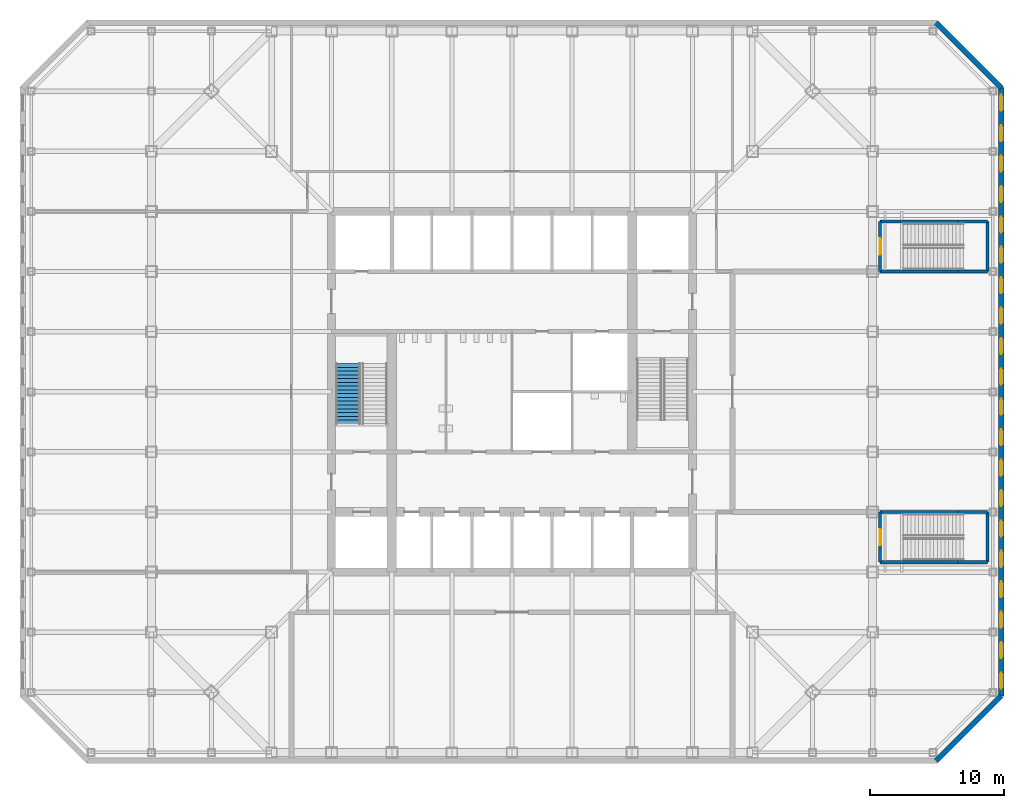
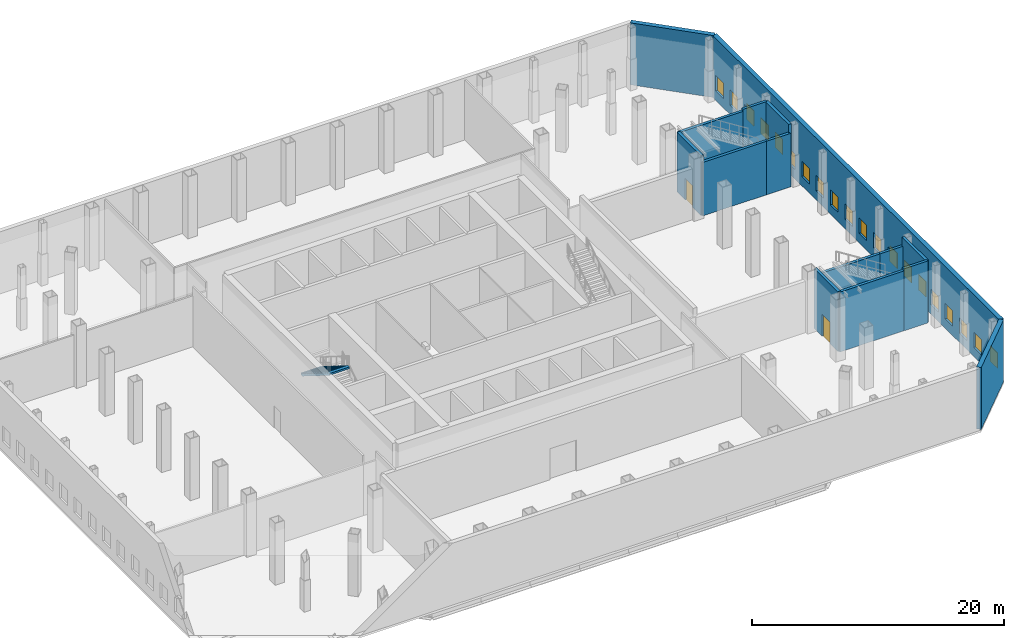
# One storey, part 9 of 13: 20 windows, 15 walls, 2 doors, 1 stair flight, 22 openings, 1 element without a shape of its own.
"""IFC4 building model written with IfcOpenShell, lengths in metres."""

from ifc_helpers import new_model, si_unit, direction, frame, frame_2d, origin, place, context, subcontext, project, spatial, polyline, rectangle, outline, extrude, material, layer, layer_set, type_object, element, fill, aggregate, save


model = new_model("IFC4")

# Units and contexts
model_context = context("Model", 3, precision=1e-05, world=origin(), true_north=direction((0.0, 1.0)))
body_context = subcontext(model_context, "Body", "Model", "MODEL_VIEW")
ifc_project = project(units=[si_unit("LENGTHUNIT", "METRE"), si_unit("AREAUNIT", "SQUARE_METRE"), si_unit("VOLUMEUNIT", "CUBIC_METRE"), si_unit("PLANEANGLEUNIT", "RADIAN"), si_unit("MASSUNIT", "GRAM", prefix="KILO")], contexts=[model_context])

# Site, building, storey
site_placement = place(None, origin())
site = spatial("IfcSite", under=ifc_project, at=site_placement, CompositionType="ELEMENT")
building_placement = place(site_placement, origin())
building = spatial("IfcBuilding", under=site, at=building_placement, Name="Corais Broadcast Tower", CompositionType="ELEMENT")
storey_placement = place(building_placement, frame((0.0, 0.0, 12.0)))
storey = spatial("IfcBuildingStorey", under=building, at=storey_placement, Name="L02", CompositionType="ELEMENT", Elevation=12.0)

# Walls
ifc_material_1 = material(Name="Concrete blockwork class A", Category="masonry")
ifc_layer_1 = layer(ifc_material_1, 0.25)
ifc_layer_set_1 = layer_set([ifc_layer_1], Name="Concrete blockwork class A")
wall_type_1 = type_object("IfcWallType", Name="Stair enclosure blockwork 250", PredefinedType="PARTITIONING", material=ifc_layer_set_1)
wall_1_placement = place(storey_placement, frame((54.550048828125, 14.25, 0.0), z_axis=(0.0, 0.0, 1.0), x_axis=(1.0, 0.0, 0.0)))
element("IfcWall", 1, at=wall_1_placement, inside=storey, type_object=wall_type_1, Name="IW6 stair D enclosure L02", PredefinedType="PARTITIONING", context=body_context, shape_type="SweptSolid", body=[
    extrude(rectangle(XDim=5.849853515625, YDim=0.25, at=frame_2d((2.9248046875, 0.0))), origin(), (0.0, 0.0, 1.0), 5.800048828125),
])
wall_2_placement = place(storey_placement, frame((60.39990234375, 18.0, 0.0), z_axis=(0.0, 0.0, 1.0), x_axis=(-1.0, 0.0, 0.0)))
element("IfcWall", 2, at=wall_2_placement, inside=storey, type_object=wall_type_1, Name="IW6 stair D enclosure L02", PredefinedType="PARTITIONING", context=body_context, shape_type="SweptSolid", body=[
    extrude(rectangle(XDim=5.849853515625, YDim=0.25, at=frame_2d((2.9248046875, 0.0))), origin(), (0.0, 0.0, 1.0), 5.18896484375),
])

# Wall, opening, door
wall_3_placement = place(storey_placement, frame((54.550048828125, 18.0, 0.0), z_axis=(0.0, 0.0, 1.0), x_axis=(0.0, -1.0, 0.0)))
wall_3 = element("IfcWall", 3, at=wall_3_placement, inside=storey, type_object=wall_type_1, Name="IW6 stair D enclosure L02", PredefinedType="PARTITIONING", context=body_context, shape_type="SweptSolid", body=[
    extrude(rectangle(XDim=3.75, YDim=0.25, at=frame_2d((1.875, 0.0))), origin(), (0.0, 0.0, 1.0), 5.800048828125),
])
opening_1_placement = place(wall_3_placement, frame((1.27490234375, 0.0, 0.0)))
opening_1 = element("IfcOpeningElement", 4, at=opening_1_placement, cuts=wall_3, Name="Opening FD1", PredefinedType="OPENING", context=body_context, shape_type="SweptSolid", body=[
    extrude(rectangle(XDim=1.199951171875, YDim=2.10009765625, at=frame_2d((0.60009765625, 1.050048828125))), frame((0.0, 0.135009765625, 0.0), z_axis=(0.0, -1.0, 0.0), x_axis=(1.0, 0.0, 0.0)), (0.0, 0.0, 1.0), 0.27001953125),
])
ifc_material_2 = material(Name="Steel fire door", Category="steel")
door_type = type_object("IfcDoorType", Name="Fire door 1200x2100", OperationType="SINGLE_SWING_LEFT", PredefinedType="DOOR", material=ifc_material_2)
door_1_placement = place(opening_1_placement, origin())
door_1 = element("IfcDoor", 5, at=door_1_placement, inside=storey, type_object=door_type, Name="FD1 stair D door L02", OperationType="SINGLE_SWING_LEFT", OverallHeight=2.10009765625, OverallWidth=1.199951171875, PredefinedType="DOOR", context=body_context, shape_type="SweptSolid", body=[
    extrude(rectangle(XDim=1.199951171875, YDim=2.10009765625, at=frame_2d((0.60009765625, 1.050048828125))), frame((0.0, 0.02490234375, 0.0), z_axis=(0.0, -1.0, 0.0), x_axis=(1.0, 0.0, 0.0)), (0.0, 0.0, 1.0), 0.050048828125),
])
fill(opening_1, door_1)

# Walls
wall_4_placement = place(storey_placement, frame((54.550048828125, 36.0, 0.0), z_axis=(0.0, 0.0, 1.0), x_axis=(1.0, 0.0, 0.0)))
element("IfcWall", 6, at=wall_4_placement, inside=storey, type_object=wall_type_1, Name="IW6 stair E enclosure L02", PredefinedType="PARTITIONING", context=body_context, shape_type="SweptSolid", body=[
    extrude(rectangle(XDim=5.849853515625, YDim=0.25, at=frame_2d((2.9248046875, 0.0))), origin(), (0.0, 0.0, 1.0), 5.18896484375),
])
wall_5_placement = place(storey_placement, frame((60.39990234375, 39.75, 0.0), z_axis=(0.0, 0.0, 1.0), x_axis=(-1.0, 0.0, 0.0)))
element("IfcWall", 7, at=wall_5_placement, inside=storey, type_object=wall_type_1, Name="IW6 stair E enclosure L02", PredefinedType="PARTITIONING", context=body_context, shape_type="SweptSolid", body=[
    extrude(rectangle(XDim=5.849853515625, YDim=0.25, at=frame_2d((2.9248046875, 0.0))), origin(), (0.0, 0.0, 1.0), 5.800048828125),
])

# Wall, opening, door
wall_6_placement = place(storey_placement, frame((54.550048828125, 39.75, 0.0), z_axis=(0.0, 0.0, 1.0), x_axis=(0.0, -1.0, 0.0)))
wall_6 = element("IfcWall", 8, at=wall_6_placement, inside=storey, type_object=wall_type_1, Name="IW6 stair E enclosure L02", PredefinedType="PARTITIONING", context=body_context, shape_type="SweptSolid", body=[
    extrude(rectangle(XDim=3.75, YDim=0.25, at=frame_2d((1.875, 0.0))), origin(), (0.0, 0.0, 1.0), 5.800048828125),
])
opening_2_placement = place(wall_6_placement, frame((1.27490234375, 0.0, 0.0)))
opening_2 = element("IfcOpeningElement", 9, at=opening_2_placement, cuts=wall_6, Name="Opening FD1", PredefinedType="OPENING", context=body_context, shape_type="SweptSolid", body=[
    extrude(rectangle(XDim=1.199951171875, YDim=2.10009765625, at=frame_2d((0.60009765625, 1.050048828125))), frame((0.0, 0.135009765625, 0.0), z_axis=(0.0, -1.0, 0.0), x_axis=(1.0, 0.0, 0.0)), (0.0, 0.0, 1.0), 0.27001953125),
])
door_2_placement = place(opening_2_placement, origin())
door_2 = element("IfcDoor", 10, at=door_2_placement, inside=storey, type_object=door_type, Name="FD1 stair E door L02", OperationType="SINGLE_SWING_LEFT", OverallHeight=2.10009765625, OverallWidth=1.199951171875, PredefinedType="DOOR", context=body_context, shape_type="SweptSolid", body=[
    extrude(rectangle(XDim=1.199951171875, YDim=2.10009765625, at=frame_2d((0.60009765625, 1.050048828125))), frame((0.0, 0.02490234375, 0.0), z_axis=(0.0, -1.0, 0.0), x_axis=(1.0, 0.0, 0.0)), (0.0, 0.0, 1.0), 0.050048828125),
])
fill(opening_2, door_2)

# Walls
ifc_material_3 = material(Name="Concrete C40/50", Category="concrete")
ifc_layer_2 = layer(ifc_material_3, 0.25)
ifc_layer_set_2 = layer_set([ifc_layer_2], Name="Concrete C40/50")
wall_type_2 = type_object("IfcWallType", Name="Stair enclosure wall 250", PredefinedType="SOLIDWALL", material=ifc_layer_set_2)
wall_7_placement = place(storey_placement, frame((60.39990234375, 14.25, 0.0), z_axis=(0.0, 0.0, 1.0), x_axis=(1.0, 0.0, 0.0)))
element("IfcWall", 11, at=wall_7_placement, inside=storey, type_object=wall_type_2, Name="IW5 stair D enclosure L02", PredefinedType="SOLIDWALL", context=body_context, shape_type="SweptSolid", body=[
    extrude(rectangle(XDim=2.2001953125, YDim=0.25, at=frame_2d((1.10009765625, 0.0))), origin(), (0.0, 0.0, 1.0), 6.0),
])
wall_8_placement = place(storey_placement, frame((62.60009765625, 14.25, 0.0), z_axis=(0.0, 0.0, 1.0), x_axis=(0.0, 1.0, 0.0)))
element("IfcWall", 12, at=wall_8_placement, inside=storey, type_object=wall_type_2, Name="IW5 stair D enclosure L02", PredefinedType="SOLIDWALL", context=body_context, shape_type="SweptSolid", body=[
    extrude(rectangle(XDim=3.75, YDim=0.25, at=frame_2d((1.875, 0.0))), origin(), (0.0, 0.0, 1.0), 6.0),
])
for number, where, z_axis, x_axis, name in (
    (13, (62.60009765625, 18.0, 0.0), (0.0, 0.0, 1.0), (-1.0, 0.0, 0.0), "IW5 stair D enclosure L02"),
    (14, (60.39990234375, 36.0, 0.0), (0.0, 0.0, 1.0), (1.0, 0.0, 0.0), "IW5 stair E enclosure L02"),
):
    element("IfcWall", number, at=place(storey_placement, frame(where, z_axis=z_axis, x_axis=x_axis)), inside=storey, type_object=wall_type_2, Name=name, PredefinedType="SOLIDWALL", context=body_context, shape_type="SweptSolid", body=[
        extrude(rectangle(XDim=2.2001953125, YDim=0.25, at=frame_2d((1.10009765625, 0.0))), origin(), (0.0, 0.0, 1.0), 5.18896484375),
    ])
wall_9_placement = place(storey_placement, frame((62.60009765625, 36.0, 0.0), z_axis=(0.0, 0.0, 1.0), x_axis=(0.0, 1.0, 0.0)))
element("IfcWall", 15, at=wall_9_placement, inside=storey, type_object=wall_type_2, Name="IW5 stair E enclosure L02", PredefinedType="SOLIDWALL", context=body_context, shape_type="SweptSolid", body=[
    extrude(rectangle(XDim=3.75, YDim=0.25, at=frame_2d((1.875, 0.0))), origin(), (0.0, 0.0, 1.0), 6.0),
])
wall_10_placement = place(storey_placement, frame((62.60009765625, 39.75, 0.0), z_axis=(0.0, 0.0, 1.0), x_axis=(-1.0, 0.0, 0.0)))
element("IfcWall", 16, at=wall_10_placement, inside=storey, type_object=wall_type_2, Name="IW5 stair E enclosure L02", PredefinedType="SOLIDWALL", context=body_context, shape_type="SweptSolid", body=[
    extrude(rectangle(XDim=2.2001953125, YDim=0.25, at=frame_2d((1.10009765625, 0.0))), origin(), (0.0, 0.0, 1.0), 6.0),
])
ifc_material_4 = material(Name="Precast concrete C40/50", Category="concrete")
ifc_layer_3 = layer(ifc_material_4, 0.39990234375)
ifc_layer_set_3 = layer_set([ifc_layer_3], Name="Precast concrete C40/50")
wall_type_3 = type_object("IfcWallType", Name="Stone-faced acoustic wall 400", PredefinedType="SOLIDWALL", material=ifc_layer_set_3)
wall_11_placement = place(storey_placement, frame((58.760986328125, 54.6298828125, 0.0), z_axis=(0.0, 0.0, 1.0), x_axis=(0.707106781187, -0.707106781187, 0.0)))
element("IfcWall", 17, at=wall_11_placement, inside=storey, type_object=wall_type_3, Name="EW2 external wall L02 5", PredefinedType="SOLIDWALL", context=body_context, shape_type="SweptSolid", body=[
    extrude(rectangle(XDim=6.8857421875, YDim=0.39990234375, at=frame_2d((3.44287109375, 0.0))), origin(), (0.0, 0.0, 1.0), 6.0),
])

# Wall, openings, windows
wall_12_placement = place(storey_placement, frame((63.6298828125, 49.760986328125, 0.0), z_axis=(0.0, 0.0, 1.0), x_axis=(0.0, -1.0, 0.0)))
wall_12 = element("IfcWall", 18, at=wall_12_placement, inside=storey, type_object=wall_type_3, Name="EW2 external wall L02 6", PredefinedType="SOLIDWALL", context=body_context, shape_type="SweptSolid", body=[
    extrude(rectangle(XDim=45.52197265625, YDim=0.39990234375, at=frame_2d((22.760986328125, 0.0))), origin(), (0.0, 0.0, 1.0), 6.0),
])
opening_3_placement = place(wall_12_placement, frame((0.5380859375, 0.0, 0.89990234375)))
opening_3 = element("IfcOpeningElement", 19, at=opening_3_placement, cuts=wall_12, Name="Opening W2", PredefinedType="OPENING", context=body_context, shape_type="SweptSolid", body=[
    extrude(rectangle(XDim=1.199951171875, YDim=1.5, at=frame_2d((0.60009765625, 0.75))), frame((0.0, 0.2099609375, 0.0), z_axis=(0.0, -1.0, 0.0), x_axis=(1.0, 0.0, 0.0)), (0.0, 0.0, 1.0), 0.419921875),
])
opening_4_placement = place(wall_12_placement, frame((2.814208984375, 0.0, 0.89990234375)))
opening_4 = element("IfcOpeningElement", 20, at=opening_4_placement, cuts=wall_12, Name="Opening W2", PredefinedType="OPENING", context=body_context, shape_type="SweptSolid", body=[
    extrude(rectangle(XDim=1.199951171875, YDim=1.5, at=frame_2d((0.60009765625, 0.75))), frame((0.0, 0.2099609375, 0.0), z_axis=(0.0, -1.0, 0.0), x_axis=(1.0, 0.0, 0.0)), (0.0, 0.0, 1.0), 0.419921875),
])
opening_5_placement = place(wall_12_placement, frame((5.09033203125, 0.0, 0.89990234375)))
opening_5 = element("IfcOpeningElement", 21, at=opening_5_placement, cuts=wall_12, Name="Opening W2", PredefinedType="OPENING", context=body_context, shape_type="SweptSolid", body=[
    extrude(rectangle(XDim=1.199951171875, YDim=1.5, at=frame_2d((0.60009765625, 0.75))), frame((0.0, 0.2099609375, 0.0), z_axis=(0.0, -1.0, 0.0), x_axis=(1.0, 0.0, 0.0)), (0.0, 0.0, 1.0), 0.419921875),
])
opening_6_placement = place(wall_12_placement, frame((7.366455078125, 0.0, 0.89990234375)))
opening_6 = element("IfcOpeningElement", 22, at=opening_6_placement, cuts=wall_12, Name="Opening W2", PredefinedType="OPENING", context=body_context, shape_type="SweptSolid", body=[
    extrude(rectangle(XDim=1.199951171875, YDim=1.5, at=frame_2d((0.60009765625, 0.75))), frame((0.0, 0.2099609375, 0.0), z_axis=(0.0, -1.0, 0.0), x_axis=(1.0, 0.0, 0.0)), (0.0, 0.0, 1.0), 0.419921875),
])
opening_7_placement = place(wall_12_placement, frame((9.642333984375, 0.0, 0.89990234375)))
opening_7 = element("IfcOpeningElement", 23, at=opening_7_placement, cuts=wall_12, Name="Opening W2", PredefinedType="OPENING", context=body_context, shape_type="SweptSolid", body=[
    extrude(rectangle(XDim=1.199951171875, YDim=1.5, at=frame_2d((0.60009765625, 0.75))), frame((0.0, 0.2099609375, 0.0), z_axis=(0.0, -1.0, 0.0), x_axis=(1.0, 0.0, 0.0)), (0.0, 0.0, 1.0), 0.419921875),
])
opening_8_placement = place(wall_12_placement, frame((11.91845703125, 0.0, 0.89990234375)))
opening_8 = element("IfcOpeningElement", 24, at=opening_8_placement, cuts=wall_12, Name="Opening W2", PredefinedType="OPENING", context=body_context, shape_type="SweptSolid", body=[
    extrude(rectangle(XDim=1.199951171875, YDim=1.5, at=frame_2d((0.60009765625, 0.75))), frame((0.0, 0.2099609375, 0.0), z_axis=(0.0, -1.0, 0.0), x_axis=(1.0, 0.0, 0.0)), (0.0, 0.0, 1.0), 0.419921875),
])
opening_9_placement = place(wall_12_placement, frame((14.194580078125, 0.0, 0.89990234375)))
opening_9 = element("IfcOpeningElement", 25, at=opening_9_placement, cuts=wall_12, Name="Opening W2", PredefinedType="OPENING", context=body_context, shape_type="SweptSolid", body=[
    extrude(rectangle(XDim=1.199951171875, YDim=1.5, at=frame_2d((0.60009765625, 0.75))), frame((0.0, 0.2099609375, 0.0), z_axis=(0.0, -1.0, 0.0), x_axis=(1.0, 0.0, 0.0)), (0.0, 0.0, 1.0), 0.419921875),
])
opening_10_placement = place(wall_12_placement, frame((16.470703125, 0.0, 0.89990234375)))
opening_10 = element("IfcOpeningElement", 26, at=opening_10_placement, cuts=wall_12, Name="Opening W2", PredefinedType="OPENING", context=body_context, shape_type="SweptSolid", body=[
    extrude(rectangle(XDim=1.199951171875, YDim=1.5, at=frame_2d((0.60009765625, 0.75))), frame((0.0, 0.2099609375, 0.0), z_axis=(0.0, -1.0, 0.0), x_axis=(1.0, 0.0, 0.0)), (0.0, 0.0, 1.0), 0.419921875),
])
opening_11_placement = place(wall_12_placement, frame((18.746826171875, 0.0, 0.89990234375)))
opening_11 = element("IfcOpeningElement", 27, at=opening_11_placement, cuts=wall_12, Name="Opening W2", PredefinedType="OPENING", context=body_context, shape_type="SweptSolid", body=[
    extrude(rectangle(XDim=1.199951171875, YDim=1.5, at=frame_2d((0.60009765625, 0.75))), frame((0.0, 0.2099609375, 0.0), z_axis=(0.0, -1.0, 0.0), x_axis=(1.0, 0.0, 0.0)), (0.0, 0.0, 1.0), 0.419921875),
])
opening_12_placement = place(wall_12_placement, frame((21.02294921875, 0.0, 0.89990234375)))
opening_12 = element("IfcOpeningElement", 28, at=opening_12_placement, cuts=wall_12, Name="Opening W2", PredefinedType="OPENING", context=body_context, shape_type="SweptSolid", body=[
    extrude(rectangle(XDim=1.199951171875, YDim=1.5, at=frame_2d((0.60009765625, 0.75))), frame((0.0, 0.2099609375, 0.0), z_axis=(0.0, -1.0, 0.0), x_axis=(1.0, 0.0, 0.0)), (0.0, 0.0, 1.0), 0.419921875),
])
opening_13_placement = place(wall_12_placement, frame((23.299072265625, 0.0, 0.89990234375)))
opening_13 = element("IfcOpeningElement", 29, at=opening_13_placement, cuts=wall_12, Name="Opening W2", PredefinedType="OPENING", context=body_context, shape_type="SweptSolid", body=[
    extrude(rectangle(XDim=1.199951171875, YDim=1.5, at=frame_2d((0.60009765625, 0.75))), frame((0.0, 0.2099609375, 0.0), z_axis=(0.0, -1.0, 0.0), x_axis=(1.0, 0.0, 0.0)), (0.0, 0.0, 1.0), 0.419921875),
])
opening_14_placement = place(wall_12_placement, frame((25.5751953125, 0.0, 0.89990234375)))
opening_14 = element("IfcOpeningElement", 30, at=opening_14_placement, cuts=wall_12, Name="Opening W2", PredefinedType="OPENING", context=body_context, shape_type="SweptSolid", body=[
    extrude(rectangle(XDim=1.199951171875, YDim=1.5, at=frame_2d((0.60009765625, 0.75))), frame((0.0, 0.2099609375, 0.0), z_axis=(0.0, -1.0, 0.0), x_axis=(1.0, 0.0, 0.0)), (0.0, 0.0, 1.0), 0.419921875),
])
opening_15_placement = place(wall_12_placement, frame((27.851318359375, 0.0, 0.89990234375)))
opening_15 = element("IfcOpeningElement", 31, at=opening_15_placement, cuts=wall_12, Name="Opening W2", PredefinedType="OPENING", context=body_context, shape_type="SweptSolid", body=[
    extrude(rectangle(XDim=1.199951171875, YDim=1.5, at=frame_2d((0.60009765625, 0.75))), frame((0.0, 0.2099609375, 0.0), z_axis=(0.0, -1.0, 0.0), x_axis=(1.0, 0.0, 0.0)), (0.0, 0.0, 1.0), 0.419921875),
])
opening_16_placement = place(wall_12_placement, frame((30.12744140625, 0.0, 0.89990234375)))
opening_16 = element("IfcOpeningElement", 32, at=opening_16_placement, cuts=wall_12, Name="Opening W2", PredefinedType="OPENING", context=body_context, shape_type="SweptSolid", body=[
    extrude(rectangle(XDim=1.199951171875, YDim=1.5, at=frame_2d((0.60009765625, 0.75))), frame((0.0, 0.2099609375, 0.0), z_axis=(0.0, -1.0, 0.0), x_axis=(1.0, 0.0, 0.0)), (0.0, 0.0, 1.0), 0.419921875),
])
opening_17_placement = place(wall_12_placement, frame((32.403564453125, 0.0, 0.89990234375)))
opening_17 = element("IfcOpeningElement", 33, at=opening_17_placement, cuts=wall_12, Name="Opening W2", PredefinedType="OPENING", context=body_context, shape_type="SweptSolid", body=[
    extrude(rectangle(XDim=1.199951171875, YDim=1.5, at=frame_2d((0.60009765625, 0.75))), frame((0.0, 0.2099609375, 0.0), z_axis=(0.0, -1.0, 0.0), x_axis=(1.0, 0.0, 0.0)), (0.0, 0.0, 1.0), 0.419921875),
])
opening_18_placement = place(wall_12_placement, frame((34.679443359375, 0.0, 0.89990234375)))
opening_18 = element("IfcOpeningElement", 34, at=opening_18_placement, cuts=wall_12, Name="Opening W2", PredefinedType="OPENING", context=body_context, shape_type="SweptSolid", body=[
    extrude(rectangle(XDim=1.199951171875, YDim=1.5, at=frame_2d((0.60009765625, 0.75))), frame((0.0, 0.2099609375, 0.0), z_axis=(0.0, -1.0, 0.0), x_axis=(1.0, 0.0, 0.0)), (0.0, 0.0, 1.0), 0.419921875),
])
opening_19_placement = place(wall_12_placement, frame((36.95556640625, 0.0, 0.89990234375)))
opening_19 = element("IfcOpeningElement", 35, at=opening_19_placement, cuts=wall_12, Name="Opening W2", PredefinedType="OPENING", context=body_context, shape_type="SweptSolid", body=[
    extrude(rectangle(XDim=1.199951171875, YDim=1.5, at=frame_2d((0.60009765625, 0.75))), frame((0.0, 0.2099609375, 0.0), z_axis=(0.0, -1.0, 0.0), x_axis=(1.0, 0.0, 0.0)), (0.0, 0.0, 1.0), 0.419921875),
])
opening_20_placement = place(wall_12_placement, frame((39.231689453125, 0.0, 0.89990234375)))
opening_20 = element("IfcOpeningElement", 36, at=opening_20_placement, cuts=wall_12, Name="Opening W2", PredefinedType="OPENING", context=body_context, shape_type="SweptSolid", body=[
    extrude(rectangle(XDim=1.199951171875, YDim=1.5, at=frame_2d((0.60009765625, 0.75))), frame((0.0, 0.2099609375, 0.0), z_axis=(0.0, -1.0, 0.0), x_axis=(1.0, 0.0, 0.0)), (0.0, 0.0, 1.0), 0.419921875),
])
opening_21_placement = place(wall_12_placement, frame((41.5078125, 0.0, 0.89990234375)))
opening_21 = element("IfcOpeningElement", 37, at=opening_21_placement, cuts=wall_12, Name="Opening W2", PredefinedType="OPENING", context=body_context, shape_type="SweptSolid", body=[
    extrude(rectangle(XDim=1.199951171875, YDim=1.5, at=frame_2d((0.60009765625, 0.75))), frame((0.0, 0.2099609375, 0.0), z_axis=(0.0, -1.0, 0.0), x_axis=(1.0, 0.0, 0.0)), (0.0, 0.0, 1.0), 0.419921875),
])
opening_22_placement = place(wall_12_placement, frame((43.783935546875, 0.0, 0.89990234375)))
opening_22 = element("IfcOpeningElement", 38, at=opening_22_placement, cuts=wall_12, Name="Opening W2", PredefinedType="OPENING", context=body_context, shape_type="SweptSolid", body=[
    extrude(rectangle(XDim=1.199951171875, YDim=1.5, at=frame_2d((0.60009765625, 0.75))), frame((0.0, 0.2099609375, 0.0), z_axis=(0.0, -1.0, 0.0), x_axis=(1.0, 0.0, 0.0)), (0.0, 0.0, 1.0), 0.419921875),
])
ifc_material_5 = material(Name="Aluminium frame", Category="aluminium")
window_type = type_object("IfcWindowType", Name="Fixed window 1200x1500", PartitioningType="SINGLE_PANEL", PredefinedType="WINDOW", material=ifc_material_5)
window_1_placement = place(opening_3_placement, origin())
window_1 = element("IfcWindow", 39, at=window_1_placement, inside=storey, type_object=window_type, Name="W2 window L02", OverallHeight=1.5, OverallWidth=1.199951171875, PartitioningType="SINGLE_PANEL", PredefinedType="WINDOW", context=body_context, shape_type="SweptSolid", body=[
    extrude(rectangle(XDim=1.199951171875, YDim=1.5, at=frame_2d((0.60009765625, 0.75))), frame((0.0, 0.030029296875, 0.0), z_axis=(0.0, -1.0, 0.0), x_axis=(1.0, 0.0, 0.0)), (0.0, 0.0, 1.0), 0.06005859375),
])
fill(opening_3, window_1)
window_2_placement = place(opening_4_placement, origin())
window_2 = element("IfcWindow", 40, at=window_2_placement, inside=storey, type_object=window_type, Name="W2 window L02", OverallHeight=1.5, OverallWidth=1.199951171875, PartitioningType="SINGLE_PANEL", PredefinedType="WINDOW", context=body_context, shape_type="SweptSolid", body=[
    extrude(rectangle(XDim=1.199951171875, YDim=1.5, at=frame_2d((0.60009765625, 0.75))), frame((0.0, 0.030029296875, 0.0), z_axis=(0.0, -1.0, 0.0), x_axis=(1.0, 0.0, 0.0)), (0.0, 0.0, 1.0), 0.06005859375),
])
fill(opening_4, window_2)
window_3_placement = place(opening_5_placement, origin())
window_3 = element("IfcWindow", 41, at=window_3_placement, inside=storey, type_object=window_type, Name="W2 window L02", OverallHeight=1.5, OverallWidth=1.199951171875, PartitioningType="SINGLE_PANEL", PredefinedType="WINDOW", context=body_context, shape_type="SweptSolid", body=[
    extrude(rectangle(XDim=1.199951171875, YDim=1.5, at=frame_2d((0.60009765625, 0.75))), frame((0.0, 0.030029296875, 0.0), z_axis=(0.0, -1.0, 0.0), x_axis=(1.0, 0.0, 0.0)), (0.0, 0.0, 1.0), 0.06005859375),
])
fill(opening_5, window_3)
window_4_placement = place(opening_6_placement, origin())
window_4 = element("IfcWindow", 42, at=window_4_placement, inside=storey, type_object=window_type, Name="W2 window L02", OverallHeight=1.5, OverallWidth=1.199951171875, PartitioningType="SINGLE_PANEL", PredefinedType="WINDOW", context=body_context, shape_type="SweptSolid", body=[
    extrude(rectangle(XDim=1.199951171875, YDim=1.5, at=frame_2d((0.60009765625, 0.75))), frame((0.0, 0.030029296875, 0.0), z_axis=(0.0, -1.0, 0.0), x_axis=(1.0, 0.0, 0.0)), (0.0, 0.0, 1.0), 0.06005859375),
])
fill(opening_6, window_4)
window_5_placement = place(opening_7_placement, origin())
window_5 = element("IfcWindow", 43, at=window_5_placement, inside=storey, type_object=window_type, Name="W2 window L02", OverallHeight=1.5, OverallWidth=1.199951171875, PartitioningType="SINGLE_PANEL", PredefinedType="WINDOW", context=body_context, shape_type="SweptSolid", body=[
    extrude(rectangle(XDim=1.199951171875, YDim=1.5, at=frame_2d((0.60009765625, 0.75))), frame((0.0, 0.030029296875, 0.0), z_axis=(0.0, -1.0, 0.0), x_axis=(1.0, 0.0, 0.0)), (0.0, 0.0, 1.0), 0.06005859375),
])
fill(opening_7, window_5)
window_6_placement = place(opening_8_placement, origin())
window_6 = element("IfcWindow", 44, at=window_6_placement, inside=storey, type_object=window_type, Name="W2 window L02", OverallHeight=1.5, OverallWidth=1.199951171875, PartitioningType="SINGLE_PANEL", PredefinedType="WINDOW", context=body_context, shape_type="SweptSolid", body=[
    extrude(rectangle(XDim=1.199951171875, YDim=1.5, at=frame_2d((0.60009765625, 0.75))), frame((0.0, 0.030029296875, 0.0), z_axis=(0.0, -1.0, 0.0), x_axis=(1.0, 0.0, 0.0)), (0.0, 0.0, 1.0), 0.06005859375),
])
fill(opening_8, window_6)
window_7_placement = place(opening_9_placement, origin())
window_7 = element("IfcWindow", 45, at=window_7_placement, inside=storey, type_object=window_type, Name="W2 window L02", OverallHeight=1.5, OverallWidth=1.199951171875, PartitioningType="SINGLE_PANEL", PredefinedType="WINDOW", context=body_context, shape_type="SweptSolid", body=[
    extrude(rectangle(XDim=1.199951171875, YDim=1.5, at=frame_2d((0.60009765625, 0.75))), frame((0.0, 0.030029296875, 0.0), z_axis=(0.0, -1.0, 0.0), x_axis=(1.0, 0.0, 0.0)), (0.0, 0.0, 1.0), 0.06005859375),
])
fill(opening_9, window_7)
window_8_placement = place(opening_10_placement, origin())
window_8 = element("IfcWindow", 46, at=window_8_placement, inside=storey, type_object=window_type, Name="W2 window L02", OverallHeight=1.5, OverallWidth=1.199951171875, PartitioningType="SINGLE_PANEL", PredefinedType="WINDOW", context=body_context, shape_type="SweptSolid", body=[
    extrude(rectangle(XDim=1.199951171875, YDim=1.5, at=frame_2d((0.60009765625, 0.75))), frame((0.0, 0.030029296875, 0.0), z_axis=(0.0, -1.0, 0.0), x_axis=(1.0, 0.0, 0.0)), (0.0, 0.0, 1.0), 0.06005859375),
])
fill(opening_10, window_8)
window_9_placement = place(opening_11_placement, origin())
window_9 = element("IfcWindow", 47, at=window_9_placement, inside=storey, type_object=window_type, Name="W2 window L02", OverallHeight=1.5, OverallWidth=1.199951171875, PartitioningType="SINGLE_PANEL", PredefinedType="WINDOW", context=body_context, shape_type="SweptSolid", body=[
    extrude(rectangle(XDim=1.199951171875, YDim=1.5, at=frame_2d((0.60009765625, 0.75))), frame((0.0, 0.030029296875, 0.0), z_axis=(0.0, -1.0, 0.0), x_axis=(1.0, 0.0, 0.0)), (0.0, 0.0, 1.0), 0.06005859375),
])
fill(opening_11, window_9)
window_10_placement = place(opening_12_placement, origin())
window_10 = element("IfcWindow", 48, at=window_10_placement, inside=storey, type_object=window_type, Name="W2 window L02", OverallHeight=1.5, OverallWidth=1.199951171875, PartitioningType="SINGLE_PANEL", PredefinedType="WINDOW", context=body_context, shape_type="SweptSolid", body=[
    extrude(rectangle(XDim=1.199951171875, YDim=1.5, at=frame_2d((0.60009765625, 0.75))), frame((0.0, 0.030029296875, 0.0), z_axis=(0.0, -1.0, 0.0), x_axis=(1.0, 0.0, 0.0)), (0.0, 0.0, 1.0), 0.06005859375),
])
fill(opening_12, window_10)
window_11_placement = place(opening_13_placement, origin())
window_11 = element("IfcWindow", 49, at=window_11_placement, inside=storey, type_object=window_type, Name="W2 window L02", OverallHeight=1.5, OverallWidth=1.199951171875, PartitioningType="SINGLE_PANEL", PredefinedType="WINDOW", context=body_context, shape_type="SweptSolid", body=[
    extrude(rectangle(XDim=1.199951171875, YDim=1.5, at=frame_2d((0.60009765625, 0.75))), frame((0.0, 0.030029296875, 0.0), z_axis=(0.0, -1.0, 0.0), x_axis=(1.0, 0.0, 0.0)), (0.0, 0.0, 1.0), 0.06005859375),
])
fill(opening_13, window_11)
window_12_placement = place(opening_14_placement, origin())
window_12 = element("IfcWindow", 50, at=window_12_placement, inside=storey, type_object=window_type, Name="W2 window L02", OverallHeight=1.5, OverallWidth=1.199951171875, PartitioningType="SINGLE_PANEL", PredefinedType="WINDOW", context=body_context, shape_type="SweptSolid", body=[
    extrude(rectangle(XDim=1.199951171875, YDim=1.5, at=frame_2d((0.60009765625, 0.75))), frame((0.0, 0.030029296875, 0.0), z_axis=(0.0, -1.0, 0.0), x_axis=(1.0, 0.0, 0.0)), (0.0, 0.0, 1.0), 0.06005859375),
])
fill(opening_14, window_12)
window_13_placement = place(opening_15_placement, origin())
window_13 = element("IfcWindow", 51, at=window_13_placement, inside=storey, type_object=window_type, Name="W2 window L02", OverallHeight=1.5, OverallWidth=1.199951171875, PartitioningType="SINGLE_PANEL", PredefinedType="WINDOW", context=body_context, shape_type="SweptSolid", body=[
    extrude(rectangle(XDim=1.199951171875, YDim=1.5, at=frame_2d((0.60009765625, 0.75))), frame((0.0, 0.030029296875, 0.0), z_axis=(0.0, -1.0, 0.0), x_axis=(1.0, 0.0, 0.0)), (0.0, 0.0, 1.0), 0.06005859375),
])
fill(opening_15, window_13)
window_14_placement = place(opening_16_placement, origin())
window_14 = element("IfcWindow", 52, at=window_14_placement, inside=storey, type_object=window_type, Name="W2 window L02", OverallHeight=1.5, OverallWidth=1.199951171875, PartitioningType="SINGLE_PANEL", PredefinedType="WINDOW", context=body_context, shape_type="SweptSolid", body=[
    extrude(rectangle(XDim=1.199951171875, YDim=1.5, at=frame_2d((0.60009765625, 0.75))), frame((0.0, 0.030029296875, 0.0), z_axis=(0.0, -1.0, 0.0), x_axis=(1.0, 0.0, 0.0)), (0.0, 0.0, 1.0), 0.06005859375),
])
fill(opening_16, window_14)
window_15_placement = place(opening_17_placement, origin())
window_15 = element("IfcWindow", 53, at=window_15_placement, inside=storey, type_object=window_type, Name="W2 window L02", OverallHeight=1.5, OverallWidth=1.199951171875, PartitioningType="SINGLE_PANEL", PredefinedType="WINDOW", context=body_context, shape_type="SweptSolid", body=[
    extrude(rectangle(XDim=1.199951171875, YDim=1.5, at=frame_2d((0.60009765625, 0.75))), frame((0.0, 0.030029296875, 0.0), z_axis=(0.0, -1.0, 0.0), x_axis=(1.0, 0.0, 0.0)), (0.0, 0.0, 1.0), 0.06005859375),
])
fill(opening_17, window_15)
window_16_placement = place(opening_18_placement, origin())
window_16 = element("IfcWindow", 54, at=window_16_placement, inside=storey, type_object=window_type, Name="W2 window L02", OverallHeight=1.5, OverallWidth=1.199951171875, PartitioningType="SINGLE_PANEL", PredefinedType="WINDOW", context=body_context, shape_type="SweptSolid", body=[
    extrude(rectangle(XDim=1.199951171875, YDim=1.5, at=frame_2d((0.60009765625, 0.75))), frame((0.0, 0.030029296875, 0.0), z_axis=(0.0, -1.0, 0.0), x_axis=(1.0, 0.0, 0.0)), (0.0, 0.0, 1.0), 0.06005859375),
])
fill(opening_18, window_16)
window_17_placement = place(opening_19_placement, origin())
window_17 = element("IfcWindow", 55, at=window_17_placement, inside=storey, type_object=window_type, Name="W2 window L02", OverallHeight=1.5, OverallWidth=1.199951171875, PartitioningType="SINGLE_PANEL", PredefinedType="WINDOW", context=body_context, shape_type="SweptSolid", body=[
    extrude(rectangle(XDim=1.199951171875, YDim=1.5, at=frame_2d((0.60009765625, 0.75))), frame((0.0, 0.030029296875, 0.0), z_axis=(0.0, -1.0, 0.0), x_axis=(1.0, 0.0, 0.0)), (0.0, 0.0, 1.0), 0.06005859375),
])
fill(opening_19, window_17)
window_18_placement = place(opening_20_placement, origin())
window_18 = element("IfcWindow", 56, at=window_18_placement, inside=storey, type_object=window_type, Name="W2 window L02", OverallHeight=1.5, OverallWidth=1.199951171875, PartitioningType="SINGLE_PANEL", PredefinedType="WINDOW", context=body_context, shape_type="SweptSolid", body=[
    extrude(rectangle(XDim=1.199951171875, YDim=1.5, at=frame_2d((0.60009765625, 0.75))), frame((0.0, 0.030029296875, 0.0), z_axis=(0.0, -1.0, 0.0), x_axis=(1.0, 0.0, 0.0)), (0.0, 0.0, 1.0), 0.06005859375),
])
fill(opening_20, window_18)
window_19_placement = place(opening_21_placement, origin())
window_19 = element("IfcWindow", 57, at=window_19_placement, inside=storey, type_object=window_type, Name="W2 window L02", OverallHeight=1.5, OverallWidth=1.199951171875, PartitioningType="SINGLE_PANEL", PredefinedType="WINDOW", context=body_context, shape_type="SweptSolid", body=[
    extrude(rectangle(XDim=1.199951171875, YDim=1.5, at=frame_2d((0.60009765625, 0.75))), frame((0.0, 0.030029296875, 0.0), z_axis=(0.0, -1.0, 0.0), x_axis=(1.0, 0.0, 0.0)), (0.0, 0.0, 1.0), 0.06005859375),
])
fill(opening_21, window_19)
window_20_placement = place(opening_22_placement, origin())
window_20 = element("IfcWindow", 58, at=window_20_placement, inside=storey, type_object=window_type, Name="W2 window L02", OverallHeight=1.5, OverallWidth=1.199951171875, PartitioningType="SINGLE_PANEL", PredefinedType="WINDOW", context=body_context, shape_type="SweptSolid", body=[
    extrude(rectangle(XDim=1.199951171875, YDim=1.5, at=frame_2d((0.60009765625, 0.75))), frame((0.0, 0.030029296875, 0.0), z_axis=(0.0, -1.0, 0.0), x_axis=(1.0, 0.0, 0.0)), (0.0, 0.0, 1.0), 0.06005859375),
])
fill(opening_22, window_20)

# Wall
wall_13_placement = place(storey_placement, frame((63.6298828125, 4.239013671875, 0.0), z_axis=(0.0, 0.0, 1.0), x_axis=(-0.707106781187, -0.707106781187, 0.0)))
element("IfcWall", 59, at=wall_13_placement, inside=storey, type_object=wall_type_3, Name="EW2 external wall L02 7", PredefinedType="SOLIDWALL", context=body_context, shape_type="SweptSolid", body=[
    extrude(rectangle(XDim=6.8857421875, YDim=0.39990234375, at=frame_2d((3.44287109375, 0.0))), origin(), (0.0, 0.0, 1.0), 6.0),
])

# Stair, stair flight
ifc_material_6 = material(Name="Concrete C30/37", Category="concrete")
stair_type = type_object("IfcStairType", Name="Half-turn stair 6000", PredefinedType="HALF_TURN_STAIR", material=ifc_material_6)
stair_placement = place(storey_placement, origin())
stair = element("IfcStair", 60, at=stair_placement, inside=storey, type_object=stair_type, Name="Stair A L02", PredefinedType="HALF_TURN_STAIR")
ifc_material_7 = material(Name="Concrete C30/37", Category="concrete")
stair_flight_type = type_object("IfcStairFlightType", Name="Stair flight 6000", PredefinedType="STRAIGHT", material=ifc_material_7)
stair_flight_placement = place(storey_placement, frame((14.72509765625, 29.112060546875, 3.0), z_axis=(0.0, 0.0, 1.0), x_axis=(0.0, -1.0, 0.0)))
stair_flight = element("IfcStairFlight", 61, at=stair_flight_placement, type_object=stair_flight_type, Name="STA flight 2", NumberOfRisers=17, NumberOfTreads=16, PredefinedType="STRAIGHT", RiserHeight=0.176470588, TreadLength=0.282, context=body_context, shape_type="SweptSolid", body=[
    extrude(outline(polyline([(0.0, 0.0), (0.0, 0.176513671875), (0.281982421875, 0.176513671875), (0.281982421875, 0.35302734375), (0.56396484375, 0.35302734375), (0.56396484375, 0.529296875), (0.845947265625, 0.529296875), (0.845947265625, 0.705810546875), (1.1279296875, 0.705810546875), (1.1279296875, 0.88232421875), (1.409912109375, 0.88232421875), (1.409912109375, 1.058837890625), (1.69189453125, 1.058837890625), (1.69189453125, 1.2353515625), (1.97412109375, 1.2353515625), (1.97412109375, 1.411865234375), (2.256103515625, 1.411865234375), (2.256103515625, 1.588134765625), (2.5380859375, 1.588134765625), (2.5380859375, 1.7646484375), (2.820068359375, 1.7646484375), (2.820068359375, 1.941162109375), (3.10205078125, 1.941162109375), (3.10205078125, 2.11767578125), (3.384033203125, 2.11767578125), (3.384033203125, 2.294189453125), (3.666015625, 2.294189453125), (3.666015625, 2.470703125), (3.947998046875, 2.470703125), (3.947998046875, 2.64697265625), (4.22998046875, 2.64697265625), (4.22998046875, 2.823486328125), (4.511962890625, 2.823486328125), (4.511962890625, 3.0), (4.511962890625, 2.646728515625), (0.282470703125, 0.0), (0.0, 0.0)])), frame((0.0, 0.925048828125, 0.0), z_axis=(0.0, -1.0, 0.0), x_axis=(1.0, 0.0, 0.0)), (0.0, 0.0, 1.0), 1.85009765625),
])
aggregate(stair, [stair_flight])

save(model, "model.ifc")
